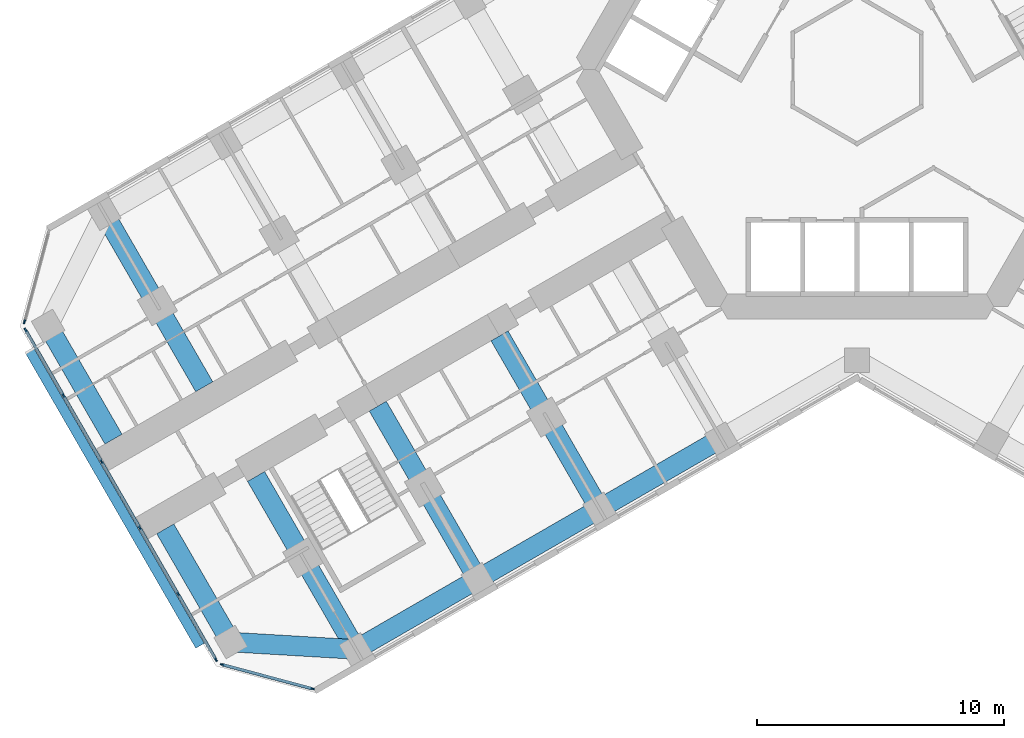
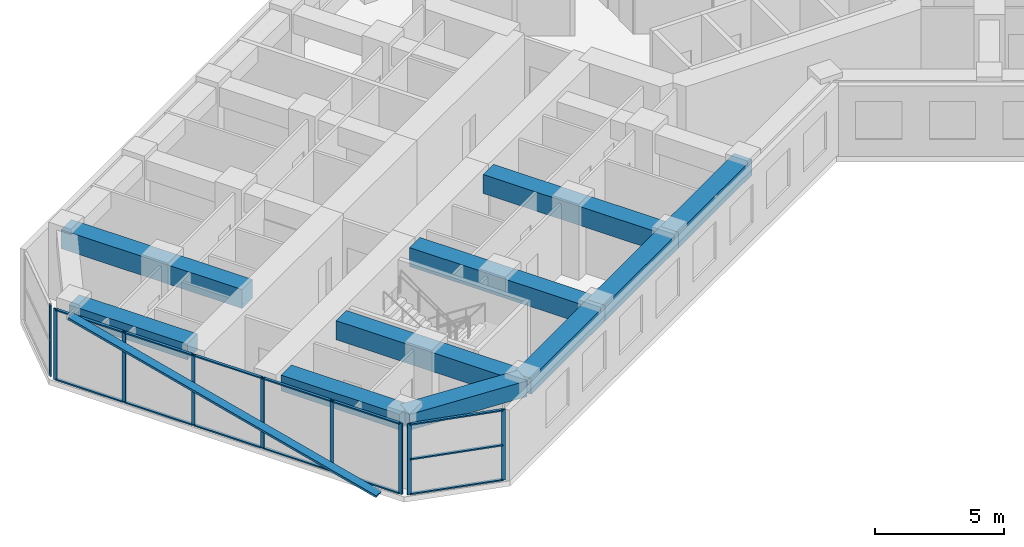
# One storey, part 2 of 21: 23 members, 10 beams, 3 elements without a shape of their own.
"""IFC4 building model written with IfcOpenShell, lengths in metres."""

from ifc_helpers import new_model, si_unit, direction, frame, origin, origin_2d, place, context, subcontext, project, spatial, rectangle, extrude, material, material_profile, profile_set, type_object, element, aggregate, save


model = new_model("IFC4")

# Units and contexts
model_context = context("Model", 3, precision=1e-05, world=origin(), true_north=direction((0.0, 1.0)))
body_context = subcontext(model_context, "Body", "Model", "MODEL_VIEW")
ifc_project = project(units=[si_unit("LENGTHUNIT", "METRE"), si_unit("AREAUNIT", "SQUARE_METRE"), si_unit("VOLUMEUNIT", "CUBIC_METRE"), si_unit("PLANEANGLEUNIT", "RADIAN"), si_unit("MASSUNIT", "GRAM", prefix="KILO")], contexts=[model_context])

# Site, building, storey
site_placement = place(None, origin())
site = spatial("IfcSite", under=ifc_project, at=site_placement, CompositionType="ELEMENT")
building_placement = place(site_placement, origin())
building = spatial("IfcBuilding", under=site, at=building_placement, Name="Kosmar Iwan School Tower", CompositionType="ELEMENT")
storey_placement = place(building_placement, frame((0.0, 0.0, 50.199951171875)))
storey = spatial("IfcBuildingStorey", under=building, at=storey_placement, Name="L11", CompositionType="ELEMENT", Elevation=50.199951171875)

# Member
ifc_material_1 = material(Name="Black anodised aluminium", Category="aluminium")
ifc_material_profile_1 = material_profile(ifc_material_1, rectangle(XDim=0.10009765625, YDim=0.39990234375, at=origin_2d()), Name="FIN 100x400")
ifc_profile_set_1 = profile_set([ifc_material_profile_1], Name="Black anodised aluminium")
member_type_1 = type_object("IfcMemberType", Name="Diagonal fin 100x400", PredefinedType="USERDEFINED", material=ifc_profile_set_1)
member_1_placement = place(storey_placement, frame((-26.645263671875, -23.34912109375, -0.14990234375), z_axis=(-0.483795538458, 0.837973939202, 0.252470897702), x_axis=(0.126233699175, -0.218647221293, 0.967604488318)))
element("IfcMember", 1, at=member_1_placement, inside=storey, type_object=member_type_1, Name="Diagonal fin L11-F13", ObjectType="FIN", PredefinedType="USERDEFINED", context=body_context, shape_type="SweptSolid", body=[
    extrude(rectangle(XDim=0.10009765625, YDim=0.39990234375, at=origin_2d()), origin(), (0.0, 0.0, 1.0), 14.258544921875),
])

# Curtain wall, member
ifc_material_2 = material(Name="Dark glass in black aluminium frame", Category="aluminium")
curtain_wall_type_1 = type_object("IfcCurtainWallType", Name="Chamfer curtain wall dark glass", PredefinedType="USERDEFINED", material=ifc_material_2)
curtain_wall_1_placement = place(storey_placement, origin())
curtain_wall_1 = element("IfcCurtainWall", 2, at=curtain_wall_1_placement, inside=storey, type_object=curtain_wall_type_1, Name="Curtain wall L11-F12", ObjectType="FACETED CURTAIN WALL", PredefinedType="USERDEFINED")
ifc_material_3 = material(Name="Black anodised aluminium", Category="aluminium")
ifc_material_profile_2 = material_profile(ifc_material_3, rectangle(XDim=0.06005859375, YDim=0.159912109375, at=origin_2d()), Name="MULLION 60x160")
ifc_profile_set_2 = profile_set([ifc_material_profile_2], Name="Black anodised aluminium")
member_type_2 = type_object("IfcMemberType", Name="Mullion 60x160", PredefinedType="MULLION", material=ifc_profile_set_2)
member_2_placement = place(storey_placement, frame((-33.7587890625, -10.2236328125, 0.0), z_axis=(0.0, 0.0, 1.0), x_axis=(0.965925875495, -0.258818861462, 0.0)))
member_2 = element("IfcMember", 3, at=member_2_placement, type_object=member_type_2, Name="CW2 mullion 2", PredefinedType="MULLION", context=body_context, shape_type="SweptSolid", body=[
    extrude(rectangle(XDim=0.06005859375, YDim=0.159912109375, at=origin_2d()), origin(), (0.0, 0.0, 1.0), 3.35009765625),
])
aggregate(curtain_wall_1, [member_2])

# Curtain wall, members
ifc_material_4 = material(Name="Dark glass in black aluminium frame", Category="aluminium")
curtain_wall_type_2 = type_object("IfcCurtainWallType", Name="Tower curtain wall dark glass", PredefinedType="USERDEFINED", material=ifc_material_4)
curtain_wall_2_placement = place(storey_placement, origin())
curtain_wall_2 = element("IfcCurtainWall", 4, at=curtain_wall_2_placement, inside=storey, type_object=curtain_wall_type_2, Name="Curtain wall L11-F13", ObjectType="UNITISED CURTAIN WALL", PredefinedType="USERDEFINED")
member_3_placement = place(storey_placement, frame((-33.71533203125, -10.55322265625, 0.0), z_axis=(0.0, 0.0, 1.0), x_axis=(0.866025405329, 0.499999997325, 0.0)))
member_3 = element("IfcMember", 5, at=member_3_placement, type_object=member_type_2, Name="CW1 mullion 1", PredefinedType="MULLION", context=body_context, shape_type="SweptSolid", body=[
    extrude(rectangle(XDim=0.06005859375, YDim=0.159912109375, at=origin_2d()), origin(), (0.0, 0.0, 1.0), 3.35009765625),
])
member_4_placement = place(storey_placement, frame((-32.1806640625, -13.21142578125, 0.0), z_axis=(0.0, 0.0, 1.0), x_axis=(0.866025405329, 0.499999997325, 0.0)))
member_4 = element("IfcMember", 6, at=member_4_placement, type_object=member_type_2, Name="CW1 mullion 2", PredefinedType="MULLION", context=body_context, shape_type="SweptSolid", body=[
    extrude(rectangle(XDim=0.06005859375, YDim=0.159912109375, at=origin_2d()), origin(), (0.0, 0.0, 1.0), 3.35009765625),
])
member_5_placement = place(storey_placement, frame((-30.631103515625, -15.8955078125, 0.0), z_axis=(0.0, 0.0, 1.0), x_axis=(0.866025405329, 0.499999997325, 0.0)))
member_5 = element("IfcMember", 7, at=member_5_placement, type_object=member_type_2, Name="CW1 mullion 3", PredefinedType="MULLION", context=body_context, shape_type="SweptSolid", body=[
    extrude(rectangle(XDim=0.06005859375, YDim=0.159912109375, at=origin_2d()), origin(), (0.0, 0.0, 1.0), 3.35009765625),
])
member_6_placement = place(storey_placement, frame((-29.081298828125, -18.57958984375, 0.0), z_axis=(0.0, 0.0, 1.0), x_axis=(0.866025405329, 0.499999997325, 0.0)))
member_6 = element("IfcMember", 8, at=member_6_placement, type_object=member_type_2, Name="CW1 mullion 4", PredefinedType="MULLION", context=body_context, shape_type="SweptSolid", body=[
    extrude(rectangle(XDim=0.06005859375, YDim=0.159912109375, at=origin_2d()), origin(), (0.0, 0.0, 1.0), 3.35009765625),
])
member_7_placement = place(storey_placement, frame((-27.53173828125, -21.263671875, 0.0), z_axis=(0.0, 0.0, 1.0), x_axis=(0.866025405329, 0.499999997325, 0.0)))
member_7 = element("IfcMember", 9, at=member_7_placement, type_object=member_type_2, Name="CW1 mullion 5", PredefinedType="MULLION", context=body_context, shape_type="SweptSolid", body=[
    extrude(rectangle(XDim=0.06005859375, YDim=0.159912109375, at=origin_2d()), origin(), (0.0, 0.0, 1.0), 3.35009765625),
])
member_8_placement = place(storey_placement, frame((-25.9970703125, -23.921630859375, 0.0), z_axis=(0.0, 0.0, 1.0), x_axis=(0.866025405329, 0.499999997325, 0.0)))
member_8 = element("IfcMember", 10, at=member_8_placement, type_object=member_type_2, Name="CW1 mullion 6", PredefinedType="MULLION", context=body_context, shape_type="SweptSolid", body=[
    extrude(rectangle(XDim=0.06005859375, YDim=0.159912109375, at=origin_2d()), origin(), (0.0, 0.0, 1.0), 3.35009765625),
])

curtain_wall_3_placement = place(storey_placement, origin())
curtain_wall_3 = element("IfcCurtainWall", 11, at=curtain_wall_3_placement, inside=storey, type_object=curtain_wall_type_1, Name="Curtain wall L11-F14", ObjectType="FACETED CURTAIN WALL", PredefinedType="USERDEFINED")
member_9_placement = place(storey_placement, frame((-25.733154296875, -24.124267578125, 0.0), z_axis=(0.0, 0.0, 1.0), x_axis=(0.258818861462, 0.965925875495, 0.0)))
member_9 = element("IfcMember", 12, at=member_9_placement, type_object=member_type_2, Name="CW2 mullion 1", PredefinedType="MULLION", context=body_context, shape_type="SweptSolid", body=[
    extrude(rectangle(XDim=0.06005859375, YDim=0.159912109375, at=origin_2d()), origin(), (0.0, 0.0, 1.0), 3.35009765625),
])
member_10_placement = place(storey_placement, frame((-22.0830078125, -25.102294921875, 0.0), z_axis=(0.0, 0.0, 1.0), x_axis=(0.258818861462, 0.965925875495, 0.0)))
member_10 = element("IfcMember", 13, at=member_10_placement, type_object=member_type_2, Name="CW2 mullion 2", PredefinedType="MULLION", context=body_context, shape_type="SweptSolid", body=[
    extrude(rectangle(XDim=0.06005859375, YDim=0.159912109375, at=origin_2d()), origin(), (0.0, 0.0, 1.0), 3.35009765625),
])

# Beams
ifc_material_5 = material(Name="Concrete C50/60", Category="concrete")
ifc_material_profile_3 = material_profile(ifc_material_5, rectangle(XDim=0.800048828125, YDim=0.75, at=origin_2d()), Name="RC 800x750")
ifc_profile_set_3 = profile_set([ifc_material_profile_3], Name="Concrete C50/60")
beam_type_1 = type_object("IfcBeamType", Name="RC edge beam 800x750", PredefinedType="BEAM", material=ifc_profile_set_3)
beam_1_placement = place(storey_placement, frame((-5.5087890625, -14.95849609375, 2.97509765625), z_axis=(-0.866033658841, -0.49998570155, 0.0), x_axis=(0.49998570155, -0.866033658841, 0.0)))
element("IfcBeam", 14, at=beam_1_placement, inside=storey, type_object=beam_type_1, Name="Edge beam BL2", PredefinedType="BEAM", context=body_context, shape_type="SweptSolid", body=[
    extrude(rectangle(XDim=0.800048828125, YDim=0.75, at=origin_2d()), origin(), (0.0, 0.0, 1.0), 5.699951171875),
])
beam_2_placement = place(storey_placement, frame((-10.445068359375, -17.808349609375, 2.97509765625), z_axis=(-0.866025820012, -0.499999279071, 0.0), x_axis=(0.499999279071, -0.866025820012, 0.0)))
element("IfcBeam", 15, at=beam_2_placement, inside=storey, type_object=beam_type_1, Name="Edge beam BL3", PredefinedType="BEAM", context=body_context, shape_type="SweptSolid", body=[
    extrude(rectangle(XDim=0.800048828125, YDim=0.75, at=origin_2d()), origin(), (0.0, 0.0, 1.0), 5.7001953125),
])
beam_3_placement = place(storey_placement, frame((-15.381591796875, -20.658447265625, 2.97509765625), z_axis=(-0.866015111908, -0.50001782563, 0.0), x_axis=(0.50001782563, -0.866015111908, 0.0)))
element("IfcBeam", 16, at=beam_3_placement, inside=storey, type_object=beam_type_1, Name="Edge beam BL4", PredefinedType="BEAM", context=body_context, shape_type="SweptSolid", body=[
    extrude(rectangle(XDim=0.800048828125, YDim=0.75, at=origin_2d()), origin(), (0.0, 0.0, 1.0), 5.699951171875),
])
ifc_material_6 = material(Name="Concrete C50/60", Category="concrete")
ifc_material_profile_4 = material_profile(ifc_material_6, rectangle(XDim=0.800048828125, YDim=0.75, at=origin_2d()), Name="RC 800x750")
ifc_profile_set_4 = profile_set([ifc_material_profile_4], Name="Concrete C50/60")
beam_type_2 = type_object("IfcBeamType", Name="RC tip beam 800x750", PredefinedType="BEAM", material=ifc_profile_set_4)
beam_4_placement = place(storey_placement, frame((-20.31787109375, -23.508544921875, 2.97509765625), z_axis=(-0.998260616478, 0.058955420358, 0.0), x_axis=(-0.058955420358, -0.998260616478, 0.0)))
element("IfcBeam", 17, at=beam_4_placement, inside=storey, type_object=beam_type_2, Name="Tip beam BL", PredefinedType="BEAM", context=body_context, shape_type="SweptSolid", body=[
    extrude(rectangle(XDim=0.800048828125, YDim=0.75, at=origin_2d()), origin(), (0.0, 0.0, 1.0), 5.08935546875),
])
beam_5_placement = place(storey_placement, frame((-25.3984375, -23.20849609375, 2.97509765625), z_axis=(-0.499993606316, 0.866029095148, 0.0), x_axis=(-0.866029095148, -0.499993606316, 0.0)))
element("IfcBeam", 18, at=beam_5_placement, inside=storey, type_object=beam_type_2, Name="Tip beam BL to corridor wall", PredefinedType="BEAM", context=body_context, shape_type="SweptSolid", body=[
    extrude(rectangle(XDim=0.800048828125, YDim=0.75, at=origin_2d()), origin(), (0.0, 0.0, 1.0), 5.2998046875),
])
beam_6_placement = place(storey_placement, frame((-32.79833984375, -10.391357421875, 2.97509765625), z_axis=(0.499973660256, -0.866040610509, 0.0), x_axis=(0.866040610509, 0.499973660256, 0.0)))
element("IfcBeam", 19, at=beam_6_placement, inside=storey, type_object=beam_type_2, Name="Tip beam BR to corridor wall", PredefinedType="BEAM", context=body_context, shape_type="SweptSolid", body=[
    extrude(rectangle(XDim=0.800048828125, YDim=0.75, at=origin_2d()), origin(), (0.0, 0.0, 1.0), 5.300048828125),
])
ifc_material_7 = material(Name="Concrete C50/60", Category="concrete")
ifc_material_profile_5 = material_profile(ifc_material_7, rectangle(XDim=0.800048828125, YDim=0.89990234375, at=origin_2d()), Name="RC 800x900")
ifc_profile_set_5 = profile_set([ifc_material_profile_5], Name="Concrete C50/60")
beam_type_3 = type_object("IfcBeamType", Name="RC transverse beam 800x900", PredefinedType="BEAM", material=ifc_profile_set_5)
beam_7_placement = place(storey_placement, frame((-10.445068359375, -17.808349609375, 2.900146484375), z_axis=(-0.500012932018, 0.866017937352, 0.0), x_axis=(-0.866017937352, -0.500012932018, 0.0)))
element("IfcBeam", 20, at=beam_7_placement, inside=storey, type_object=beam_type_3, Name="Transverse beam BL2", PredefinedType="BEAM", context=body_context, shape_type="SweptSolid", body=[
    extrude(rectangle(XDim=0.800048828125, YDim=0.89990234375, at=origin_2d()), origin(), (0.0, 0.0, 1.0), 8.099853515625),
])
for number, where, z_axis, x_axis, name in (
    (21, (-15.381591796875, -20.658447265625, 2.900146484375), (-0.499977274689, 0.866038523851, 0.0), (-0.866038523851, -0.499977274689, 0.0), "Transverse beam BL3"),
    (22, (-20.31787109375, -23.508544921875, 2.900146484375), (-0.499999880539, 0.866025472755, 0.0), (-0.866025472755, -0.499999880539, 0.0), "Transverse beam BL4"),
    (23, (-30.517822265625, -5.841552734375, 2.900146484375), (0.499999880539, -0.866025472755, 0.0), (0.866025472755, 0.499999880539, 0.0), "Transverse beam BR4"),
):
    element("IfcBeam", number, at=place(storey_placement, frame(where, z_axis=z_axis, x_axis=x_axis)), inside=storey, type_object=beam_type_3, Name=name, PredefinedType="BEAM", context=body_context, shape_type="SweptSolid", body=[
        extrude(rectangle(XDim=0.800048828125, YDim=0.89990234375, at=origin_2d()), origin(), (0.0, 0.0, 1.0), 8.10009765625),
    ])

# Member
ifc_material_8 = material(Name="Black anodised aluminium", Category="aluminium")
ifc_material_profile_6 = material_profile(ifc_material_8, rectangle(XDim=0.1201171875, YDim=0.06005859375, at=origin_2d()), Name="TRANSOM 60x120")
ifc_profile_set_6 = profile_set([ifc_material_profile_6], Name="Black anodised aluminium")
member_type_3 = type_object("IfcMemberType", Name="Transom 60x120", PredefinedType="USERDEFINED", material=ifc_profile_set_6)
member_11_placement = place(storey_placement, frame((-33.700439453125, -10.579345703125, 0.030029296875), z_axis=(0.500022102064, -0.866012642776, 0.0), x_axis=(0.866012642776, 0.500022102064, 0.0)))
member_11 = element("IfcMember", 24, at=member_11_placement, type_object=member_type_3, Name="CW1 transom 1.1", ObjectType="TRANSOM", PredefinedType="USERDEFINED", context=body_context, shape_type="SweptSolid", body=[
    extrude(rectangle(XDim=0.1201171875, YDim=0.06005859375, at=origin_2d()), origin(), (0.0, 0.0, 1.0), 3.009033203125),
])

member_12_placement = place(storey_placement, frame((-33.700439453125, -10.579345703125, 3.320068359375), z_axis=(0.500022102064, -0.866012642776, 0.0), x_axis=(0.866012642776, 0.500022102064, 0.0)))
member_12 = element("IfcMember", 25, at=member_12_placement, type_object=member_type_3, Name="CW1 transom 1.2", ObjectType="TRANSOM", PredefinedType="USERDEFINED", context=body_context, shape_type="SweptSolid", body=[
    extrude(rectangle(XDim=0.1201171875, YDim=0.06005859375, at=origin_2d()), origin(), (0.0, 0.0, 1.0), 3.009033203125),
])

member_13_placement = place(storey_placement, frame((-32.165771484375, -13.2373046875, 0.030029296875), z_axis=(0.500035348339, -0.866004994449, 0.0), x_axis=(0.866004994449, 0.500035348339, 0.0)))
member_13 = element("IfcMember", 26, at=member_13_placement, type_object=member_type_3, Name="CW1 transom 2.1", ObjectType="TRANSOM", PredefinedType="USERDEFINED", context=body_context, shape_type="SweptSolid", body=[
    extrude(rectangle(XDim=0.1201171875, YDim=0.06005859375, at=origin_2d()), origin(), (0.0, 0.0, 1.0), 3.039306640625),
])

member_14_placement = place(storey_placement, frame((-32.165771484375, -13.2373046875, 3.320068359375), z_axis=(0.500035348339, -0.866004994449, 0.0), x_axis=(0.866004994449, 0.500035348339, 0.0)))
member_14 = element("IfcMember", 27, at=member_14_placement, type_object=member_type_3, Name="CW1 transom 2.2", ObjectType="TRANSOM", PredefinedType="USERDEFINED", context=body_context, shape_type="SweptSolid", body=[
    extrude(rectangle(XDim=0.1201171875, YDim=0.06005859375, at=origin_2d()), origin(), (0.0, 0.0, 1.0), 3.039306640625),
])

member_15_placement = place(storey_placement, frame((-30.615966796875, -15.92138671875, 0.030029296875), z_axis=(0.499975102327, -0.866039777986, 0.0), x_axis=(0.866039777986, 0.499975102327, 0.0)))
member_15 = element("IfcMember", 28, at=member_15_placement, type_object=member_type_3, Name="CW1 transom 3.1", ObjectType="TRANSOM", PredefinedType="USERDEFINED", context=body_context, shape_type="SweptSolid", body=[
    extrude(rectangle(XDim=0.1201171875, YDim=0.06005859375, at=origin_2d()), origin(), (0.0, 0.0, 1.0), 3.039306640625),
])

member_16_placement = place(storey_placement, frame((-30.615966796875, -15.92138671875, 3.320068359375), z_axis=(0.499975102327, -0.866039777986, 0.0), x_axis=(0.866039777986, 0.499975102327, 0.0)))
member_16 = element("IfcMember", 29, at=member_16_placement, type_object=member_type_3, Name="CW1 transom 3.2", ObjectType="TRANSOM", PredefinedType="USERDEFINED", context=body_context, shape_type="SweptSolid", body=[
    extrude(rectangle(XDim=0.1201171875, YDim=0.06005859375, at=origin_2d()), origin(), (0.0, 0.0, 1.0), 3.039306640625),
])

member_17_placement = place(storey_placement, frame((-29.06640625, -18.60546875, 0.030029296875), z_axis=(0.499975102327, -0.866039777986, 0.0), x_axis=(0.866039777986, 0.499975102327, 0.0)))
member_17 = element("IfcMember", 30, at=member_17_placement, type_object=member_type_3, Name="CW1 transom 4.1", ObjectType="TRANSOM", PredefinedType="USERDEFINED", context=body_context, shape_type="SweptSolid", body=[
    extrude(rectangle(XDim=0.1201171875, YDim=0.06005859375, at=origin_2d()), origin(), (0.0, 0.0, 1.0), 3.039306640625),
])

member_18_placement = place(storey_placement, frame((-29.06640625, -18.60546875, 3.320068359375), z_axis=(0.499975102327, -0.866039777986, 0.0), x_axis=(0.866039777986, 0.499975102327, 0.0)))
member_18 = element("IfcMember", 31, at=member_18_placement, type_object=member_type_3, Name="CW1 transom 4.2", ObjectType="TRANSOM", PredefinedType="USERDEFINED", context=body_context, shape_type="SweptSolid", body=[
    extrude(rectangle(XDim=0.1201171875, YDim=0.06005859375, at=origin_2d()), origin(), (0.0, 0.0, 1.0), 3.039306640625),
])

member_19_placement = place(storey_placement, frame((-27.516845703125, -21.28955078125, 0.030029296875), z_axis=(0.499986971506, -0.866032925658, 0.0), x_axis=(0.866032925658, 0.499986971506, 0.0)))
member_19 = element("IfcMember", 32, at=member_19_placement, type_object=member_type_3, Name="CW1 transom 5.1", ObjectType="TRANSOM", PredefinedType="USERDEFINED", context=body_context, shape_type="SweptSolid", body=[
    extrude(rectangle(XDim=0.1201171875, YDim=0.06005859375, at=origin_2d()), origin(), (0.0, 0.0, 1.0), 3.00927734375),
])

member_20_placement = place(storey_placement, frame((-27.516845703125, -21.28955078125, 3.320068359375), z_axis=(0.499986971506, -0.866032925658, 0.0), x_axis=(0.866032925658, 0.499986971506, 0.0)))
member_20 = element("IfcMember", 33, at=member_20_placement, type_object=member_type_3, Name="CW1 transom 5.2", ObjectType="TRANSOM", PredefinedType="USERDEFINED", context=body_context, shape_type="SweptSolid", body=[
    extrude(rectangle(XDim=0.1201171875, YDim=0.06005859375, at=origin_2d()), origin(), (0.0, 0.0, 1.0), 3.00927734375),
])

aggregate(curtain_wall_2, [member_3, member_4, member_5, member_6, member_7, member_8, member_11, member_12, member_13, member_14, member_15, member_16, member_17, member_18, member_19, member_20])

member_21_placement = place(storey_placement, frame((-25.704345703125, -24.1318359375, 0.030029296875), z_axis=(0.965923731726, -0.258826861991, 0.0), x_axis=(0.258826861991, 0.965923731726, 0.0)))
member_21 = element("IfcMember", 34, at=member_21_placement, type_object=member_type_3, Name="CW2 transom 1.1", ObjectType="TRANSOM", PredefinedType="USERDEFINED", context=body_context, shape_type="SweptSolid", body=[
    extrude(rectangle(XDim=0.1201171875, YDim=0.06005859375, at=origin_2d()), origin(), (0.0, 0.0, 1.0), 3.71923828125),
])

member_22_placement = place(storey_placement, frame((-25.704345703125, -24.1318359375, 1.675048828125), z_axis=(0.965923731726, -0.258826861991, 0.0), x_axis=(0.258826861991, 0.965923731726, 0.0)))
member_22 = element("IfcMember", 35, at=member_22_placement, type_object=member_type_3, Name="CW2 transom 1.2", ObjectType="TRANSOM", PredefinedType="USERDEFINED", context=body_context, shape_type="SweptSolid", body=[
    extrude(rectangle(XDim=0.1201171875, YDim=0.06005859375, at=origin_2d()), origin(), (0.0, 0.0, 1.0), 3.71923828125),
])

member_23_placement = place(storey_placement, frame((-25.704345703125, -24.1318359375, 3.320068359375), z_axis=(0.965923731726, -0.258826861991, 0.0), x_axis=(0.258826861991, 0.965923731726, 0.0)))
member_23 = element("IfcMember", 36, at=member_23_placement, type_object=member_type_3, Name="CW2 transom 1.3", ObjectType="TRANSOM", PredefinedType="USERDEFINED", context=body_context, shape_type="SweptSolid", body=[
    extrude(rectangle(XDim=0.1201171875, YDim=0.06005859375, at=origin_2d()), origin(), (0.0, 0.0, 1.0), 3.71923828125),
])

aggregate(curtain_wall_3, [member_9, member_10, member_21, member_22, member_23])

save(model, "model.ifc")
